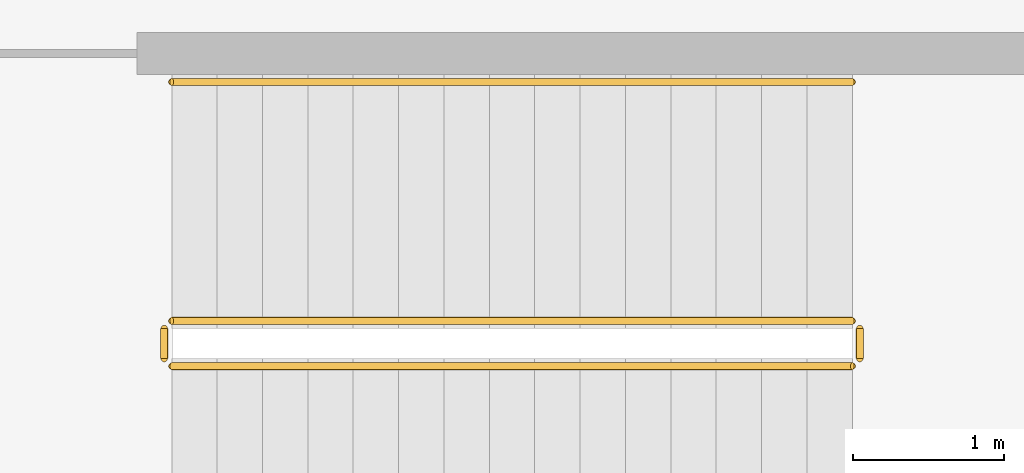
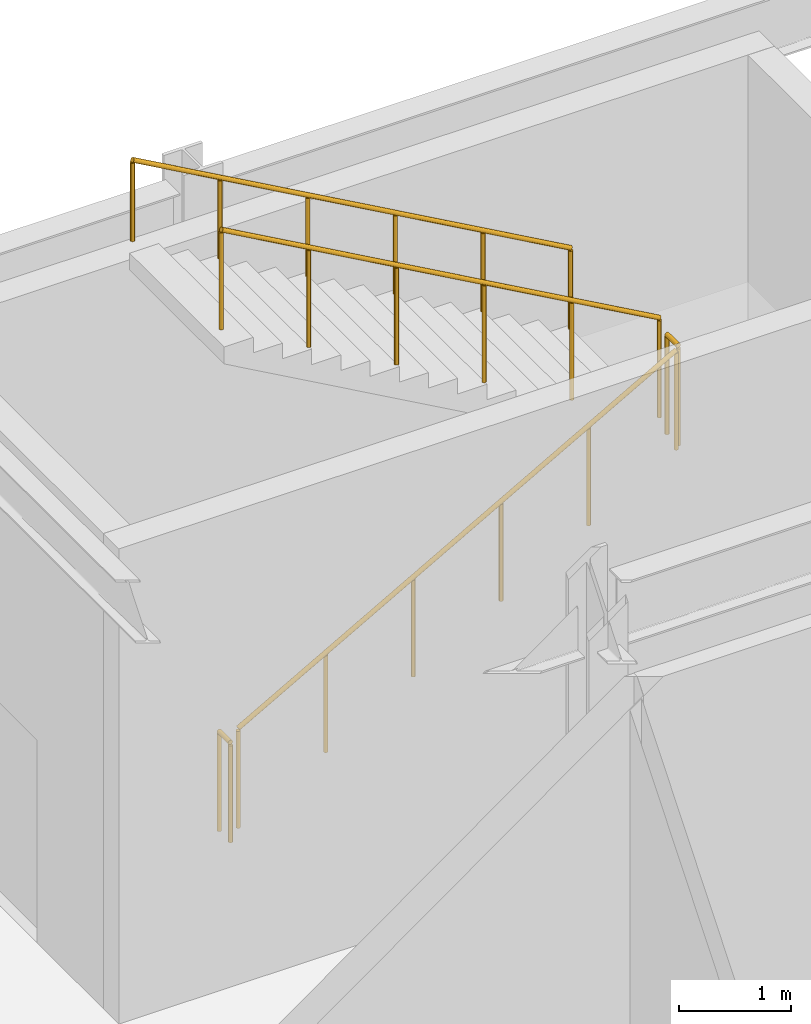
# One storey, part 97 of 104: 5 railings.
"""IFC4 building model written with IfcOpenShell, lengths in metres."""

from ifc_helpers import new_model, si_unit, direction, frame, origin, origin_2d, place, context, subcontext, project, spatial, circle, extrude, material, layer, layer_set, type_object, element, save


model = new_model("IFC4")

# Units and contexts
model_context = context("Model", 3, precision=1e-05, world=origin(), true_north=direction((0.0, 1.0)))
body_context = subcontext(model_context, "Body", "Model", "MODEL_VIEW")
ifc_project = project(units=[si_unit("LENGTHUNIT", "METRE"), si_unit("AREAUNIT", "SQUARE_METRE"), si_unit("VOLUMEUNIT", "CUBIC_METRE"), si_unit("PLANEANGLEUNIT", "RADIAN"), si_unit("MASSUNIT", "GRAM", prefix="KILO")], contexts=[model_context])

# Site, building, storey
site_placement = place(None, origin())
site = spatial("IfcSite", under=ifc_project, at=site_placement, CompositionType="ELEMENT")
building_placement = place(site_placement, origin())
building = spatial("IfcBuilding", under=site, at=building_placement, Name="Vaelcorin Mobility Hub", CompositionType="ELEMENT")
storey_placement = place(building_placement, origin())
storey = spatial("IfcBuildingStorey", under=building, at=storey_placement, Name="L00", CompositionType="ELEMENT", Elevation=0.0)

# Railings
ifc_material = material(Name="Brushed stainless steel 316L", Category="steel")
ifc_layer_1 = layer(ifc_material, 0.048095703125)
ifc_layer_set_1 = layer_set([ifc_layer_1], Name="Brushed stainless steel 316L")
railing_type_1 = type_object("IfcRailingType", Name="RL-STAIR-GRD", PredefinedType="GUARDRAIL", material=ifc_layer_set_1)
railing_1_placement = place(storey_placement, frame((114.10009765625, 117.280029296875, 0.168701171875)))
element("IfcRailing", 1, at=railing_1_placement, inside=storey, type_object=railing_type_1, Name="L00 ST9 stair guard 1", PredefinedType="GUARDRAIL", context=body_context, shape_type="SweptSolid", body=[
    extrude(circle(Radius=0.02392578125, at=origin_2d()), frame((0.0, 0.0, 1.076171875), z_axis=(0.871575537125, 0.0, 0.490261239633), x_axis=(0.0, 1.0, 0.0)), (0.0, 0.0, 1.0), 5.1630859375),
    extrude(circle(Radius=0.02099609375, at=origin_2d()), origin(), (0.0, 0.0, 1.0), 1.052001953125),
    extrude(circle(Radius=0.02099609375, at=origin_2d()), frame((0.89990234375, 0.0, 0.50634765625)), (0.0, 0.0, 1.0), 1.052001953125),
    extrude(circle(Radius=0.02099609375, at=origin_2d()), frame((1.800048828125, 0.0, 1.012451171875)), (0.0, 0.0, 1.0), 1.052001953125),
    extrude(circle(Radius=0.02099609375, at=origin_2d()), frame((2.699951171875, 0.0, 1.518798828125)), (0.0, 0.0, 1.0), 1.052001953125),
    extrude(circle(Radius=0.02099609375, at=origin_2d()), frame((3.60009765625, 0.0, 2.02490234375)), (0.0, 0.0, 1.0), 1.052001953125),
    extrude(circle(Radius=0.02099609375, at=origin_2d()), frame((4.5, 0.0, 2.53125)), (0.0, 0.0, 1.0), 1.052001953125),
])
railing_2_placement = place(storey_placement, frame((118.64990234375, 117.330078125, 2.699951171875)))
element("IfcRailing", 2, at=railing_2_placement, inside=storey, type_object=railing_type_1, Name="L00 ST9 stair guard 2", PredefinedType="GUARDRAIL", context=body_context, shape_type="SweptSolid", body=[
    extrude(circle(Radius=0.02392578125, at=origin_2d()), frame((0.0, 0.0, 1.076171875), z_axis=(0.0, 1.0, 0.0), x_axis=(-1.0, 0.0, 0.0)), (0.0, 0.0, 1.0), 0.199951171875),
    extrude(circle(Radius=0.02099609375, at=origin_2d()), origin(), (0.0, 0.0, 1.0), 1.052001953125),
    extrude(circle(Radius=0.02099609375, at=origin_2d()), frame((0.0, 0.199951171875, 0.0)), (0.0, 0.0, 1.0), 1.052001953125),
])
railing_3_placement = place(storey_placement, frame((118.60009765625, 117.580078125, 2.86865234375)))
element("IfcRailing", 3, at=railing_3_placement, inside=storey, type_object=railing_type_1, Name="L00 ST9 stair guard 3", PredefinedType="GUARDRAIL", context=body_context, shape_type="SweptSolid", body=[
    extrude(circle(Radius=0.02392578125, at=origin_2d()), frame((0.0, 0.0, 1.076171875), z_axis=(-0.871575537125, 0.0, 0.490261239633), x_axis=(0.0, -1.0, 0.0)), (0.0, 0.0, 1.0), 5.1630859375),
    extrude(circle(Radius=0.02099609375, at=origin_2d()), origin(), (0.0, 0.0, 1.0), 1.052001953125),
    extrude(circle(Radius=0.02099609375, at=origin_2d()), frame((-0.89990234375, 0.0, 0.50634765625)), (0.0, 0.0, 1.0), 1.052001953125),
    extrude(circle(Radius=0.02099609375, at=origin_2d()), frame((-1.800048828125, 0.0, 1.012451171875)), (0.0, 0.0, 1.0), 1.052001953125),
    extrude(circle(Radius=0.02099609375, at=origin_2d()), frame((-2.699951171875, 0.0, 1.518798828125)), (0.0, 0.0, 1.0), 1.052001953125),
    extrude(circle(Radius=0.02099609375, at=origin_2d()), frame((-3.60009765625, 0.0, 2.02490234375)), (0.0, 0.0, 1.0), 1.052001953125),
    extrude(circle(Radius=0.02099609375, at=origin_2d()), frame((-4.5, 0.0, 2.53125)), (0.0, 0.0, 1.0), 1.052001953125),
])
railing_4_placement = place(storey_placement, frame((114.050048828125, 117.330078125, 0.0)))
element("IfcRailing", 4, at=railing_4_placement, inside=storey, type_object=railing_type_1, Name="L00 ST9 stair guard 4", PredefinedType="GUARDRAIL", context=body_context, shape_type="SweptSolid", body=[
    extrude(circle(Radius=0.02392578125, at=origin_2d()), frame((0.0, 0.0, 1.076171875), z_axis=(0.0, 1.0, 0.0), x_axis=(-1.0, 0.0, 0.0)), (0.0, 0.0, 1.0), 0.199951171875),
    extrude(circle(Radius=0.02099609375, at=origin_2d()), origin(), (0.0, 0.0, 1.0), 1.052001953125),
    extrude(circle(Radius=0.02099609375, at=origin_2d()), frame((0.0, 0.199951171875, 0.0)), (0.0, 0.0, 1.0), 1.052001953125),
])
ifc_layer_2 = layer(ifc_material, 0.048095703125)
ifc_layer_set_2 = layer_set([ifc_layer_2], Name="Brushed stainless steel 316L")
railing_type_2 = type_object("IfcRailingType", Name="RL-STAIR-HR", PredefinedType="HANDRAIL", material=ifc_layer_set_2)
railing_5_placement = place(storey_placement, frame((118.60009765625, 119.159912109375, 2.86865234375)))
element("IfcRailing", 5, at=railing_5_placement, inside=storey, type_object=railing_type_2, Name="L00 ST9 stair handrail 2", PredefinedType="HANDRAIL", context=body_context, shape_type="SweptSolid", body=[
    extrude(circle(Radius=0.02392578125, at=origin_2d()), frame((0.0, 0.0, 0.8759765625), z_axis=(-0.871575537125, 0.0, 0.490261239633), x_axis=(0.0, -1.0, 0.0)), (0.0, 0.0, 1.0), 5.1630859375),
    extrude(circle(Radius=0.02099609375, at=origin_2d()), origin(), (0.0, 0.0, 1.0), 0.851806640625),
    extrude(circle(Radius=0.02099609375, at=origin_2d()), frame((-0.89990234375, 0.0, 0.50634765625)), (0.0, 0.0, 1.0), 0.851806640625),
    extrude(circle(Radius=0.02099609375, at=origin_2d()), frame((-1.800048828125, 0.0, 1.012451171875)), (0.0, 0.0, 1.0), 0.851806640625),
    extrude(circle(Radius=0.02099609375, at=origin_2d()), frame((-2.699951171875, 0.0, 1.518798828125)), (0.0, 0.0, 1.0), 0.851806640625),
    extrude(circle(Radius=0.02099609375, at=origin_2d()), frame((-3.60009765625, 0.0, 2.02490234375)), (0.0, 0.0, 1.0), 0.851806640625),
    extrude(circle(Radius=0.02099609375, at=origin_2d()), frame((-4.5, 0.0, 2.53125)), (0.0, 0.0, 1.0), 0.851806640625),
])

save(model, "model.ifc")
